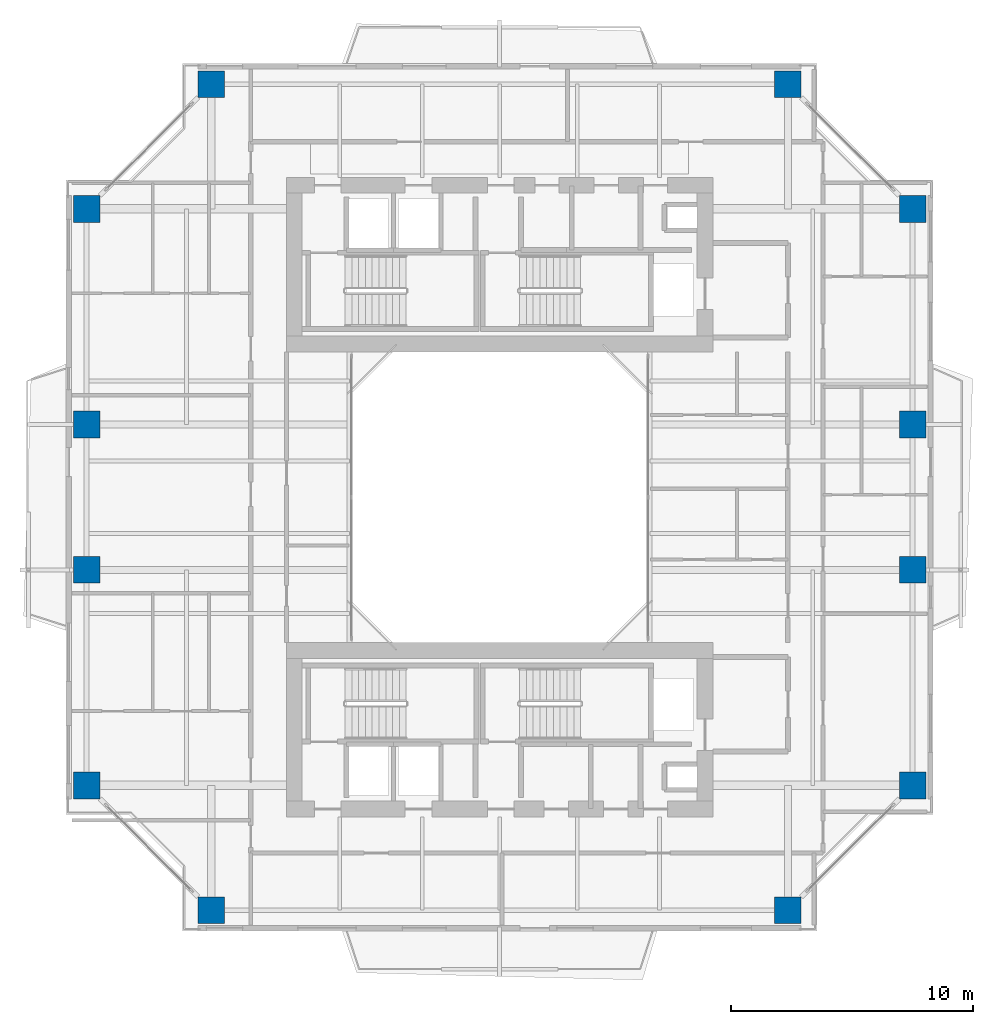
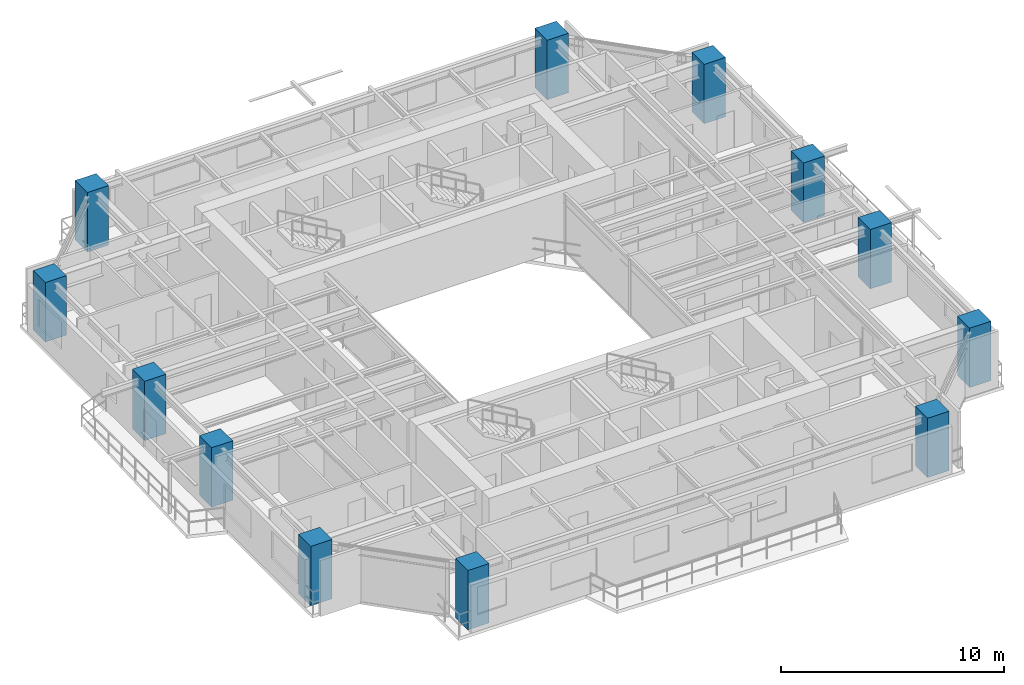
# One storey, part 1 of 17: 12 columns.
"""IFC4 building model written with IfcOpenShell, lengths in metres."""

from ifc_helpers import new_model, si_unit, direction, frame, origin, origin_2d, place, context, subcontext, project, spatial, rectangle, extrude, source, transform, mapped, material, material_profile, profile_set, type_object, element, save


model = new_model("IFC4")

# Units and contexts
model_context = context("Model", 3, precision=1e-05, world=origin(), true_north=direction((0.0, 1.0)))
body_context = subcontext(model_context, "Body", "Model", "MODEL_VIEW")
ifc_project = project(units=[si_unit("LENGTHUNIT", "METRE"), si_unit("AREAUNIT", "SQUARE_METRE"), si_unit("VOLUMEUNIT", "CUBIC_METRE"), si_unit("PLANEANGLEUNIT", "RADIAN"), si_unit("MASSUNIT", "GRAM", prefix="KILO"), si_unit("THERMODYNAMICTEMPERATUREUNIT", "KELVIN"), si_unit("POWERUNIT", "WATT")], contexts=[model_context])

# Site, building, storey
site_placement = place(None, origin())
site = spatial("IfcSite", under=ifc_project, at=site_placement, CompositionType="ELEMENT")
building_placement = place(site_placement, origin())
building = spatial("IfcBuilding", under=site, at=building_placement, Name="Qiaomeng Ring Towers", CompositionType="ELEMENT")
storey_placement = place(building_placement, frame((0.0, 0.0, 129.5)))
storey = spatial("IfcBuildingStorey", under=building, at=storey_placement, Name="L37", CompositionType="ELEMENT", Elevation=129.5)

# Columns
ifc_material = material(Name="Concrete C55", Category="concrete")
ifc_material_profile = material_profile(ifc_material, rectangle(XDim=1.10009765625, YDim=1.10009765625, at=origin_2d()), Name="RC COL 1100x1100")
ifc_profile_set = profile_set([ifc_material_profile], Name="Concrete C55")
column_type = type_object("IfcColumnType", Name="STR-COL-1100-C55", PredefinedType="COLUMN", material=ifc_profile_set)
shared_shape = source(origin(), body_context, "Body", "SweptSolid", [
    extrude(rectangle(XDim=1.10009765625, YDim=1.10009765625, at=origin_2d()), origin(), (0.0, 0.0, 1.0), 3.25),
])
for number, where, z_axis, x_axis, name in (
    (1, (7.10009765625, 5.949951171875, 0.0), (0.0, 0.0, 1.0), (1.0, 0.0, 0.0), "L37 column STR-COL-L37-T1-S1"),
    (2, (30.89990234375, 5.949951171875, 0.0), (0.0, 0.0, 1.0), (1.0, 0.0, 0.0), "L37 column STR-COL-L37-T1-S2"),
    (3, (36.050048828125, 11.10009765625, 0.0), (0.0, 0.0, 1.0), (1.0, 0.0, 0.0), "L37 column STR-COL-L37-T1-E1"),
    (4, (36.050048828125, 20.0, 0.0), (0.0, 0.0, 1.0), (1.0, 0.0, 0.0), "L37 column STR-COL-L37-T1-E2"),
    (5, (36.050048828125, 26.0, 0.0), (0.0, 0.0, 1.0), (1.0, 0.0, 0.0), "L37 column STR-COL-L37-T1-E3"),
    (6, (36.050048828125, 34.89990234375, 0.0), (0.0, 0.0, 1.0), (1.0, 0.0, 0.0), "L37 column STR-COL-L37-T1-E4"),
    (7, (30.89990234375, 40.050048828125, 0.0), (0.0, 0.0, 1.0), (1.0, 0.0, 0.0), "L37 column STR-COL-L37-T1-N2"),
    (8, (7.10009765625, 40.050048828125, 0.0), (0.0, 0.0, 1.0), (1.0, 0.0, 0.0), "L37 column STR-COL-L37-T1-N1"),
    (9, (1.949951171875, 34.89990234375, 0.0), (0.0, 0.0, 1.0), (1.0, 0.0, 0.0), "L37 column STR-COL-L37-T1-W4"),
    (10, (1.949951171875, 26.0, 0.0), (0.0, 0.0, 1.0), (1.0, 0.0, 0.0), "L37 column STR-COL-L37-T1-W3"),
    (11, (1.949951171875, 20.0, 0.0), (0.0, 0.0, 1.0), (1.0, 0.0, 0.0), "L37 column STR-COL-L37-T1-W2"),
    (12, (1.949951171875, 11.10009765625, 0.0), (0.0, 0.0, 1.0), (1.0, 0.0, 0.0), "L37 column STR-COL-L37-T1-W1"),
):
    element("IfcColumn", number, at=place(storey_placement, frame(where, z_axis=z_axis, x_axis=x_axis)), inside=storey, type_object=column_type, Name=name, PredefinedType="COLUMN", context=body_context, shape_type="MappedRepresentation", body=[
        mapped(shared_shape, transform((0.0, 0.0, 0.0), x_axis=(1.0, 0.0, 0.0), y_axis=(0.0, 1.0, 0.0), z_axis=(0.0, 0.0, 1.0), scale=1.0)),
    ])

save(model, "model.ifc")
